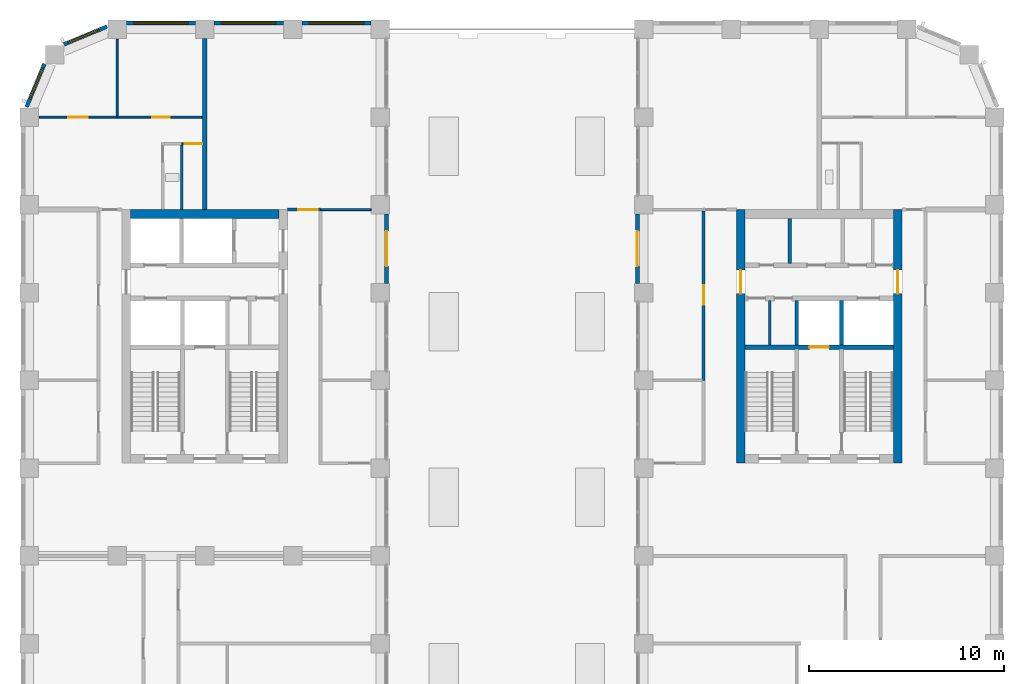
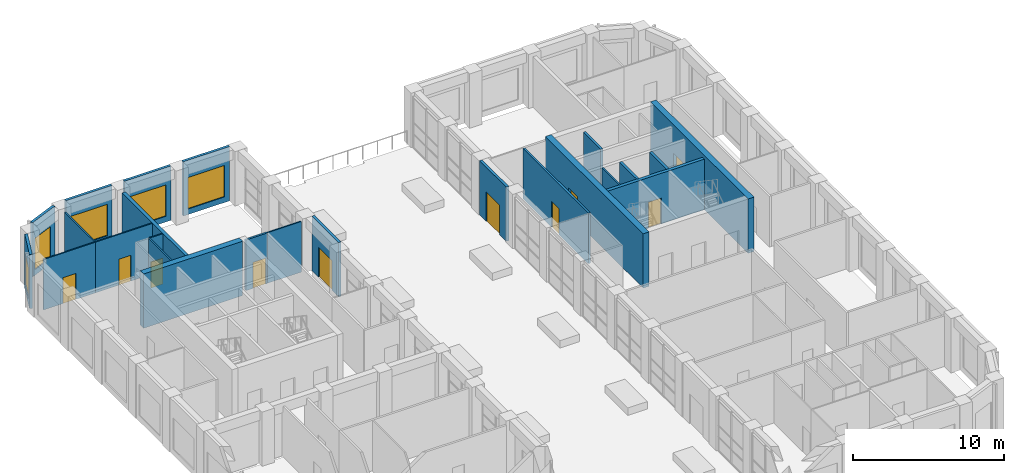
# One storey, part 14 of 20: 24 walls, 10 doors, 5 windows, 15 openings.
"""IFC4 building model written with IfcOpenShell, lengths in metres."""

from ifc_helpers import new_model, si_unit, direction, frame, frame_2d, origin, place, context, subcontext, project, spatial, rectangle, extrude, material, layer, layer_set, type_object, element, fill, save


model = new_model("IFC4")

# Units and contexts
model_context = context("Model", 3, precision=1e-05, world=origin(), true_north=direction((0.0, 1.0)))
body_context = subcontext(model_context, "Body", "Model", "MODEL_VIEW")
ifc_project = project(units=[si_unit("LENGTHUNIT", "METRE"), si_unit("AREAUNIT", "SQUARE_METRE"), si_unit("VOLUMEUNIT", "CUBIC_METRE"), si_unit("PLANEANGLEUNIT", "RADIAN"), si_unit("MASSUNIT", "GRAM", prefix="KILO")], contexts=[model_context])

# Site, building, storey
site_placement = place(None, origin())
site = spatial("IfcSite", under=ifc_project, at=site_placement, CompositionType="ELEMENT")
building_placement = place(site_placement, origin())
building = spatial("IfcBuilding", under=site, at=building_placement, Name="Girih Gate Residences", CompositionType="ELEMENT")
storey_placement = place(building_placement, frame((0.0, 0.0, 146.199951171875)))
storey = spatial("IfcBuildingStorey", under=building, at=storey_placement, Name="L41", CompositionType="ELEMENT", Elevation=146.199951171875)

# Wall
ifc_material_1 = material(Name="Gypsum board on steel studs", Category="steel")
ifc_layer_1 = layer(ifc_material_1, 0.25)
ifc_layer_set_1 = layer_set([ifc_layer_1], Name="Acoustic separating wall 250 mm")
wall_type_1 = type_object("IfcWallType", Name="Acoustic separating wall 250 mm", PredefinedType="PARTITIONING", material=ifc_layer_set_1)
wall_1_placement = place(storey_placement, frame((9.0, 40.25, 0.0), z_axis=(0.0, 0.0, 1.0), x_axis=(0.0, 1.0, 0.0)))
element("IfcWall", 1, at=wall_1_placement, inside=storey, type_object=wall_type_1, Name="L41 partition", PredefinedType="PARTITIONING", context=body_context, shape_type="SweptSolid", body=[
    extrude(rectangle(XDim=8.77490234375, YDim=0.25, at=frame_2d((4.387451171875, 0.0))), origin(), (0.0, 0.0, 1.0), 4.10009765625),
])

# Wall, opening, door
ifc_layer_2 = layer(ifc_material_1, 0.14990234375)
ifc_layer_set_2 = layer_set([ifc_layer_2], Name="Compartment wall 150 mm")
wall_type_2 = type_object("IfcWallType", Name="Compartment wall 150 mm", PredefinedType="PARTITIONING", material=ifc_layer_set_2)
wall_2_placement = place(storey_placement, frame((13.25, 40.25, 0.0), z_axis=(0.0, 0.0, 1.0), x_axis=(1.0, 0.0, 0.0)))
wall_2 = element("IfcWall", 2, at=wall_2_placement, inside=storey, type_object=wall_type_2, Name="L41 partition", PredefinedType="PARTITIONING", context=body_context, shape_type="SweptSolid", body=[
    extrude(rectangle(XDim=1.675048828125, YDim=0.14990234375, at=frame_2d((0.83740234375, 0.0))), origin(), (0.0, 0.0, 1.0), 4.10009765625),
])
opening_1_placement = place(wall_2_placement, frame((0.544921875, 0.0, 0.0)))
opening_1 = element("IfcOpeningElement", 3, at=opening_1_placement, cuts=wall_2, Name="Opening A41-034", PredefinedType="OPENING", context=body_context, shape_type="SweptSolid", body=[
    extrude(rectangle(XDim=1.0, YDim=2.10009765625, at=frame_2d((0.5, 1.050048828125))), frame((0.0, 0.0849609375, 0.0), z_axis=(0.0, -1.0, 0.0), x_axis=(1.0, 0.0, 0.0)), (0.0, 0.0, 1.0), 0.169921875),
])
ifc_material_2 = material(Name="Timber, fire-rated core", Category="wood")
door_type_1 = type_object("IfcDoorType", Name="Amenity room door 1000x2100 FD30S", OperationType="NOTDEFINED", PredefinedType="DOOR", material=ifc_material_2)
door_1_placement = place(opening_1_placement, origin())
door_1 = element("IfcDoor", 4, at=door_1_placement, inside=storey, type_object=door_type_1, Name="Door A41-034", OperationType="SINGLE_SWING_RIGHT", OverallHeight=2.10009765625, OverallWidth=1.0, PredefinedType="DOOR", context=body_context, shape_type="SweptSolid", body=[
    extrude(rectangle(XDim=1.0, YDim=2.10009765625, at=frame_2d((0.5, 1.050048828125))), frame((0.0, 0.02490234375, 0.0), z_axis=(0.0, -1.0, 0.0), x_axis=(1.0, 0.0, 0.0)), (0.0, 0.0, 1.0), 0.050048828125),
])
fill(opening_1, door_1)

wall_3_placement = place(storey_placement, frame((34.574951171875, 31.5, 0.0), z_axis=(0.0, 0.0, 1.0), x_axis=(0.0, 1.0, 0.0)))
wall_3 = element("IfcWall", 5, at=wall_3_placement, inside=storey, type_object=wall_type_2, Name="L41 partition", PredefinedType="PARTITIONING", context=body_context, shape_type="SweptSolid", body=[
    extrude(rectangle(XDim=8.675048828125, YDim=0.14990234375, at=frame_2d((4.33740234375, 0.0))), origin(), (0.0, 0.0, 1.0), 4.10009765625),
])
opening_2_placement = place(wall_3_placement, frame((3.875, 0.0, 0.0)))
opening_2 = element("IfcOpeningElement", 6, at=opening_2_placement, cuts=wall_3, Name="Opening A41-036", PredefinedType="OPENING", context=body_context, shape_type="SweptSolid", body=[
    extrude(rectangle(XDim=1.0, YDim=2.10009765625, at=frame_2d((0.5, 1.050048828125))), frame((0.0, 0.0849609375, 0.0), z_axis=(0.0, -1.0, 0.0), x_axis=(1.0, 0.0, 0.0)), (0.0, 0.0, 1.0), 0.169921875),
])
door_2_placement = place(opening_2_placement, origin())
door_2 = element("IfcDoor", 7, at=door_2_placement, inside=storey, type_object=door_type_1, Name="Door A41-036", OperationType="SINGLE_SWING_RIGHT", OverallHeight=2.10009765625, OverallWidth=1.0, PredefinedType="DOOR", context=body_context, shape_type="SweptSolid", body=[
    extrude(rectangle(XDim=1.0, YDim=2.10009765625, at=frame_2d((0.5, 1.050048828125))), frame((0.0, 0.02490234375, 0.0), z_axis=(0.0, -1.0, 0.0), x_axis=(1.0, 0.0, 0.0)), (0.0, 0.0, 1.0), 0.050048828125),
])
fill(opening_2, door_2)

# Wall
ifc_material_3 = material(Name="Concrete C60/75", Category="concrete")
ifc_layer_3 = layer(ifc_material_3, 0.449951171875)
ifc_layer_set_3 = layer_set([ifc_layer_3], Name="Core wall RC 450 Concrete C60/75")
wall_type_3 = type_object("IfcWallType", Name="Core wall RC 450 Concrete C60/75", PredefinedType="SOLIDWALL", material=ifc_layer_set_3)
wall_4_placement = place(storey_placement, frame((5.199951171875, 40.02490234375, 0.0), z_axis=(0.0, 0.0, 1.0), x_axis=(1.0, 0.0, 0.0)))
element("IfcWall", 8, at=wall_4_placement, inside=storey, type_object=wall_type_3, Name="Core wall W-N L41", PredefinedType="SOLIDWALL", context=body_context, shape_type="SweptSolid", body=[
    extrude(rectangle(XDim=7.60009765625, YDim=0.449951171875, at=frame_2d((3.800048828125, 0.0))), origin(), (0.0, 0.0, 1.0), 4.400146484375),
])

# Wall, opening, door
wall_5_placement = place(storey_placement, frame((36.47509765625, 27.25, 0.0), z_axis=(0.0, 0.0, 1.0), x_axis=(0.0, 1.0, 0.0)))
wall_5 = element("IfcWall", 9, at=wall_5_placement, inside=storey, type_object=wall_type_3, Name="Core wall E-W L41", PredefinedType="SOLIDWALL", context=body_context, shape_type="SweptSolid", body=[
    extrude(rectangle(XDim=13.0, YDim=0.449951171875, at=frame_2d((6.5, 0.0))), origin(), (0.0, 0.0, 1.0), 4.400146484375),
])
opening_3_placement = place(wall_5_placement, frame((8.699951171875, 0.0, 0.0)))
opening_3 = element("IfcOpeningElement", 10, at=opening_3_placement, cuts=wall_5, Name="Opening D-L41-E-014", PredefinedType="OPENING", context=body_context, shape_type="SweptSolid", body=[
    extrude(rectangle(XDim=1.199951171875, YDim=2.10009765625, at=frame_2d((0.60009765625, 1.050048828125))), frame((0.0, 0.23486328125, 0.0), z_axis=(0.0, -1.0, 0.0), x_axis=(1.0, 0.0, 0.0)), (0.0, 0.0, 1.0), 0.469970703125),
])
ifc_material_4 = material(Name="Painted steel, fire-resisting", Category="steel")
door_type_2 = type_object("IfcDoorType", Name="Fire door 1200x2100", OperationType="SINGLE_SWING_LEFT", PredefinedType="DOOR", material=ifc_material_4)
door_3_placement = place(opening_3_placement, origin())
door_3 = element("IfcDoor", 11, at=door_3_placement, inside=storey, type_object=door_type_2, Name="L41 E core door ll-w", OperationType="SINGLE_SWING_LEFT", OverallHeight=2.10009765625, OverallWidth=1.199951171875, PredefinedType="DOOR", context=body_context, shape_type="SweptSolid", body=[
    extrude(rectangle(XDim=1.199951171875, YDim=2.10009765625, at=frame_2d((0.60009765625, 1.050048828125))), frame((0.0, 0.02490234375, 0.0), z_axis=(0.0, -1.0, 0.0), x_axis=(1.0, 0.0, 0.0)), (0.0, 0.0, 1.0), 0.050048828125),
])
fill(opening_3, door_3)

wall_6_placement = place(storey_placement, frame((44.52490234375, 27.25, 0.0), z_axis=(0.0, 0.0, 1.0), x_axis=(0.0, 1.0, 0.0)))
wall_6 = element("IfcWall", 12, at=wall_6_placement, inside=storey, type_object=wall_type_3, Name="Core wall E-E L41", PredefinedType="SOLIDWALL", context=body_context, shape_type="SweptSolid", body=[
    extrude(rectangle(XDim=13.0, YDim=0.449951171875, at=frame_2d((6.5, 0.0))), origin(), (0.0, 0.0, 1.0), 4.400146484375),
])
opening_4_placement = place(wall_6_placement, frame((8.699951171875, 0.0, 0.0)))
opening_4 = element("IfcOpeningElement", 13, at=opening_4_placement, cuts=wall_6, Name="Opening D-L41-E-015", PredefinedType="OPENING", context=body_context, shape_type="SweptSolid", body=[
    extrude(rectangle(XDim=1.199951171875, YDim=2.10009765625, at=frame_2d((0.60009765625, 1.050048828125))), frame((0.0, 0.23486328125, 0.0), z_axis=(0.0, -1.0, 0.0), x_axis=(1.0, 0.0, 0.0)), (0.0, 0.0, 1.0), 0.469970703125),
])
door_4_placement = place(opening_4_placement, origin())
door_4 = element("IfcDoor", 14, at=door_4_placement, inside=storey, type_object=door_type_2, Name="L41 E core door ll-e", OperationType="SINGLE_SWING_LEFT", OverallHeight=2.10009765625, OverallWidth=1.199951171875, PredefinedType="DOOR", context=body_context, shape_type="SweptSolid", body=[
    extrude(rectangle(XDim=1.199951171875, YDim=2.10009765625, at=frame_2d((0.60009765625, 1.050048828125))), frame((0.0, 0.02490234375, 0.0), z_axis=(0.0, -1.0, 0.0), x_axis=(1.0, 0.0, 0.0)), (0.0, 0.0, 1.0), 0.050048828125),
])
fill(opening_4, door_4)

ifc_material_5 = material(Name="Concrete C40/50", Category="concrete")
ifc_layer_4 = layer(ifc_material_5, 0.25)
ifc_layer_set_4 = layer_set([ifc_layer_4], Name="Lift shaft wall 250")
wall_type_4 = type_object("IfcWallType", Name="Lift shaft wall 250", PredefinedType="SOLIDWALL", material=ifc_layer_set_4)
wall_7_placement = place(storey_placement, frame((36.699951171875, 33.199951171875, 0.0), z_axis=(0.0, 0.0, 1.0), x_axis=(1.0, 0.0, 0.0)))
wall_7 = element("IfcWall", 15, at=wall_7_placement, inside=storey, type_object=wall_type_4, Name="L41 E core wall H1", PredefinedType="SOLIDWALL", context=body_context, shape_type="SweptSolid", body=[
    extrude(rectangle(XDim=7.60009765625, YDim=0.25, at=frame_2d((3.800048828125, 0.0))), origin(), (0.0, 0.0, 1.0), 4.10009765625),
])
opening_5_placement = place(wall_7_placement, frame((3.300048828125, 0.0, 0.0)))
opening_5 = element("IfcOpeningElement", 16, at=opening_5_placement, cuts=wall_7, Name="Opening D-L41-E-004", PredefinedType="OPENING", context=body_context, shape_type="SweptSolid", body=[
    extrude(rectangle(XDim=1.0, YDim=2.10009765625, at=frame_2d((0.5, 1.050048828125))), frame((0.0, 0.135009765625, 0.0), z_axis=(0.0, -1.0, 0.0), x_axis=(1.0, 0.0, 0.0)), (0.0, 0.0, 1.0), 0.27001953125),
])
ifc_material_6 = material(Name="Stainless steel, fire-resisting", Category="steel")
door_type_3 = type_object("IfcDoorType", Name="Firefighting lift landing door 1000x2100", OperationType="SLIDING_TO_LEFT", PredefinedType="DOOR", material=ifc_material_6)
door_5_placement = place(opening_5_placement, origin())
door_5 = element("IfcDoor", 17, at=door_5_placement, inside=storey, type_object=door_type_3, Name="L41 lift FF-E landing door", OperationType="SLIDING_TO_LEFT", OverallHeight=2.10009765625, OverallWidth=1.0, PredefinedType="DOOR", context=body_context, shape_type="SweptSolid", body=[
    extrude(rectangle(XDim=1.0, YDim=2.10009765625, at=frame_2d((0.5, 1.050048828125))), frame((0.0, 0.02490234375, 0.0), z_axis=(0.0, -1.0, 0.0), x_axis=(1.0, 0.0, 0.0)), (0.0, 0.0, 1.0), 0.050048828125),
])
fill(opening_5, door_5)

ifc_layer_5 = layer(ifc_material_1, 0.10009765625)
ifc_layer_set_5 = layer_set([ifc_layer_5], Name="Partition 100 mm")
wall_type_5 = type_object("IfcWallType", Name="Partition 100 mm", PredefinedType="PARTITIONING", material=ifc_layer_set_5)
wall_8_placement = place(storey_placement, frame((4.5, 45.0, 0.0), z_axis=(0.0, 0.0, 1.0), x_axis=(1.0, 0.0, 0.0)))
wall_8 = element("IfcWall", 18, at=wall_8_placement, inside=storey, type_object=wall_type_5, Name="L41 partition", PredefinedType="PARTITIONING", context=body_context, shape_type="SweptSolid", body=[
    extrude(rectangle(XDim=4.375, YDim=0.10009765625, at=frame_2d((2.1875, 0.0))), origin(), (0.0, 0.0, 1.0), 4.10009765625),
])
opening_6_placement = place(wall_8_placement, frame((1.800048828125, 0.0, 0.0)))
opening_6 = element("IfcOpeningElement", 19, at=opening_6_placement, cuts=wall_8, Name="Opening A41-008", PredefinedType="OPENING", context=body_context, shape_type="SweptSolid", body=[
    extrude(rectangle(XDim=0.89990234375, YDim=2.10009765625, at=frame_2d((0.449951171875, 1.050048828125))), frame((0.0, 0.06005859375, 0.0), z_axis=(0.0, -1.0, 0.0), x_axis=(1.0, 0.0, 0.0)), (0.0, 0.0, 1.0), 0.1201171875),
])
ifc_material_7 = material(Name="Timber", Category="wood")
door_type_4 = type_object("IfcDoorType", Name="Bedroom door 900x2100", OperationType="NOTDEFINED", PredefinedType="DOOR", material=ifc_material_7)
door_6_placement = place(opening_6_placement, origin())
door_6 = element("IfcDoor", 20, at=door_6_placement, inside=storey, type_object=door_type_4, Name="Door A41-008", OperationType="SINGLE_SWING_RIGHT", OverallHeight=2.10009765625, OverallWidth=0.89990234375, PredefinedType="DOOR", context=body_context, shape_type="SweptSolid", body=[
    extrude(rectangle(XDim=0.89990234375, YDim=2.10009765625, at=frame_2d((0.449951171875, 1.050048828125))), frame((0.0, 0.02490234375, 0.0), z_axis=(0.0, -1.0, 0.0), x_axis=(1.0, 0.0, 0.0)), (0.0, 0.0, 1.0), 0.050048828125),
])
fill(opening_6, door_6)

# Wall
wall_9_placement = place(storey_placement, frame((4.5, 45.050048828125, 0.0), z_axis=(0.0, 0.0, 1.0), x_axis=(0.0, 1.0, 0.0)))
element("IfcWall", 21, at=wall_9_placement, inside=storey, type_object=wall_type_5, Name="L41 partition", PredefinedType="PARTITIONING", context=body_context, shape_type="SweptSolid", body=[
    extrude(rectangle(XDim=3.935791015625, YDim=0.10009765625, at=frame_2d((1.9677734375, 0.0))), origin(), (0.0, 0.0, 1.0), 4.10009765625),
])

# Wall, opening, door
wall_10_placement = place(storey_placement, frame((8.875, 43.6201171875, 0.0), z_axis=(0.0, 0.0, 1.0), x_axis=(-1.0, 0.0, 0.0)))
wall_10 = element("IfcWall", 22, at=wall_10_placement, inside=storey, type_object=wall_type_5, Name="L41 partition", PredefinedType="PARTITIONING", context=body_context, shape_type="SweptSolid", body=[
    extrude(rectangle(XDim=1.047607421875, YDim=0.10009765625, at=frame_2d((0.52392578125, 0.0))), origin(), (0.0, 0.0, 1.0), 4.10009765625),
])
opening_7_placement = place(wall_10_placement, frame((0.011474609375, 0.0, 0.0)))
opening_7 = element("IfcOpeningElement", 23, at=opening_7_placement, cuts=wall_10, Name="Opening A41-009", PredefinedType="OPENING", context=body_context, shape_type="SweptSolid", body=[
    extrude(rectangle(XDim=0.89990234375, YDim=2.10009765625, at=frame_2d((0.449951171875, 1.050048828125))), frame((0.0, 0.06005859375, 0.0), z_axis=(0.0, -1.0, 0.0), x_axis=(1.0, 0.0, 0.0)), (0.0, 0.0, 1.0), 0.1201171875),
])
door_type_5 = type_object("IfcDoorType", Name="Kitchen door 900x2100", OperationType="NOTDEFINED", PredefinedType="DOOR", material=ifc_material_7)
door_7_placement = place(opening_7_placement, origin())
door_7 = element("IfcDoor", 24, at=door_7_placement, inside=storey, type_object=door_type_5, Name="Door A41-009", OperationType="SINGLE_SWING_LEFT", OverallHeight=2.10009765625, OverallWidth=0.89990234375, PredefinedType="DOOR", context=body_context, shape_type="SweptSolid", body=[
    extrude(rectangle(XDim=0.89990234375, YDim=2.10009765625, at=frame_2d((0.449951171875, 1.050048828125))), frame((0.0, 0.02490234375, 0.0), z_axis=(0.0, -1.0, 0.0), x_axis=(1.0, 0.0, 0.0)), (0.0, 0.0, 1.0), 0.050048828125),
])
fill(opening_7, door_7)

wall_11_placement = place(storey_placement, frame((0.51416015625, 45.0, 0.0), z_axis=(0.0, 0.0, 1.0), x_axis=(1.0, 0.0, 0.0)))
wall_11 = element("IfcWall", 25, at=wall_11_placement, inside=storey, type_object=wall_type_5, Name="L41 partition", PredefinedType="PARTITIONING", context=body_context, shape_type="SweptSolid", body=[
    extrude(rectangle(XDim=3.98583984375, YDim=0.10009765625, at=frame_2d((1.992919921875, 0.0))), origin(), (0.0, 0.0, 1.0), 4.10009765625),
])
opening_8_placement = place(wall_11_placement, frame((1.473388671875, 0.0, 0.0)))
opening_8 = element("IfcOpeningElement", 26, at=opening_8_placement, cuts=wall_11, Name="Opening A41-010", PredefinedType="OPENING", context=body_context, shape_type="SweptSolid", body=[
    extrude(rectangle(XDim=1.0, YDim=2.10009765625, at=frame_2d((0.5, 1.050048828125))), frame((0.0, 0.06005859375, 0.0), z_axis=(0.0, -1.0, 0.0), x_axis=(1.0, 0.0, 0.0)), (0.0, 0.0, 1.0), 0.1201171875),
])
door_type_6 = type_object("IfcDoorType", Name="Living room door 1000x2100", OperationType="NOTDEFINED", PredefinedType="DOOR", material=ifc_material_7)
door_8_placement = place(opening_8_placement, origin())
door_8 = element("IfcDoor", 27, at=door_8_placement, inside=storey, type_object=door_type_6, Name="Door A41-010", OperationType="SINGLE_SWING_LEFT", OverallHeight=2.10009765625, OverallWidth=1.0, PredefinedType="DOOR", context=body_context, shape_type="SweptSolid", body=[
    extrude(rectangle(XDim=1.0, YDim=2.10009765625, at=frame_2d((0.5, 1.050048828125))), frame((0.0, 0.02490234375, 0.0), z_axis=(0.0, -1.0, 0.0), x_axis=(1.0, 0.0, 0.0)), (0.0, 0.0, 1.0), 0.050048828125),
])
fill(opening_8, door_8)

# Wall
wall_12_placement = place(storey_placement, frame((14.925048828125, 40.25, 0.0), z_axis=(0.0, 0.0, 1.0), x_axis=(1.0, 0.0, 0.0)))
element("IfcWall", 28, at=wall_12_placement, inside=storey, type_object=wall_type_5, Name="L41 partition", PredefinedType="PARTITIONING", context=body_context, shape_type="SweptSolid", body=[
    extrude(rectangle(XDim=2.599853515625, YDim=0.10009765625, at=frame_2d((1.2998046875, 0.0))), origin(), (0.0, 0.0, 1.0), 4.10009765625),
])

# Wall, opening, window
ifc_material_8 = material(Name="Precast concrete C50/60", Category="concrete")
ifc_layer_6 = layer(ifc_material_8, 0.06005859375, Name="Outer leaf")
ifc_material_9 = material(Name="Rigid PIR insulation")
ifc_layer_7 = layer(ifc_material_9, 0.090087890625, Name="Insulation")
ifc_material_10 = material(Name="Precast concrete C40/50", Category="concrete")
ifc_layer_8 = layer(ifc_material_10, 0.050048828125, Name="Inner leaf")
ifc_layer_set_6 = layer_set([ifc_layer_6, ifc_layer_7, ifc_layer_8], Name="Precast concrete C50/60 external wall 200")
wall_type_6 = type_object("IfcWallType", Name="Precast concrete C50/60 external wall 200", PredefinedType="SOLIDWALL", material=ifc_layer_set_6)
wall_13_placement = place(storey_placement, frame((13.97509765625, 49.824951171875, 0.0), z_axis=(0.0, 0.0, 1.0), x_axis=(1.0, 0.0, 0.0)))
wall_13 = element("IfcWall", 29, at=wall_13_placement, inside=storey, type_object=wall_type_6, Name="External wall N0180_0495.0", PredefinedType="SOLIDWALL", context=body_context, shape_type="SweptSolid", body=[
    extrude(rectangle(XDim=3.5498046875, YDim=0.199951171875, at=frame_2d((1.77490234375, 0.0))), origin(), (0.0, 0.0, 1.0), 4.400146484375),
])
opening_9_placement = place(wall_13_placement, frame((0.375, 0.0, 0.449951171875)))
opening_9 = element("IfcOpeningElement", 30, at=opening_9_placement, cuts=wall_13, Name="Opening W-6A", PredefinedType="OPENING", context=body_context, shape_type="SweptSolid", body=[
    extrude(rectangle(XDim=2.800048828125, YDim=2.550048828125, at=frame_2d((1.39990234375, 1.27490234375))), frame((0.0, 0.10986328125, 0.0), z_axis=(0.0, -1.0, 0.0), x_axis=(1.0, 0.0, 0.0)), (0.0, 0.0, 1.0), 0.219970703125),
])
ifc_material_11 = material(Name="Double glazing in aluminium frame", Category="aluminium")
window_type_1 = type_object("IfcWindowType", Name="Window W-6A 2800x2550", PartitioningType="SINGLE_PANEL", PredefinedType="WINDOW", material=ifc_material_11)
window_1_placement = place(opening_9_placement, origin())
window_1 = element("IfcWindow", 31, at=window_1_placement, inside=storey, type_object=window_type_1, Name="Window W-6A N0180_0495.0", OverallHeight=2.550048828125, OverallWidth=2.800048828125, PartitioningType="SINGLE_PANEL", PredefinedType="WINDOW", context=body_context, shape_type="SweptSolid", body=[
    extrude(rectangle(XDim=2.800048828125, YDim=2.550048828125, at=frame_2d((1.39990234375, 1.27490234375))), frame((0.0, 0.030029296875, 0.0), z_axis=(0.0, -1.0, 0.0), x_axis=(1.0, 0.0, 0.0)), (0.0, 0.0, 1.0), 0.06005859375),
])
fill(opening_9, window_1)

wall_14_placement = place(storey_placement, frame((9.47509765625, 49.824951171875, 0.0), z_axis=(0.0, 0.0, 1.0), x_axis=(1.0, 0.0, 0.0)))
wall_14 = element("IfcWall", 32, at=wall_14_placement, inside=storey, type_object=wall_type_6, Name="External wall N0180_0495.1", PredefinedType="SOLIDWALL", context=body_context, shape_type="SweptSolid", body=[
    extrude(rectangle(XDim=3.5498046875, YDim=0.199951171875, at=frame_2d((1.77490234375, 0.0))), origin(), (0.0, 0.0, 1.0), 4.400146484375),
])
opening_10_placement = place(wall_14_placement, frame((0.375, 0.0, 0.449951171875)))
opening_10 = element("IfcOpeningElement", 33, at=opening_10_placement, cuts=wall_14, Name="Opening W-6A", PredefinedType="OPENING", context=body_context, shape_type="SweptSolid", body=[
    extrude(rectangle(XDim=2.800048828125, YDim=2.550048828125, at=frame_2d((1.39990234375, 1.27490234375))), frame((0.0, 0.10986328125, 0.0), z_axis=(0.0, -1.0, 0.0), x_axis=(1.0, 0.0, 0.0)), (0.0, 0.0, 1.0), 0.219970703125),
])
window_2_placement = place(opening_10_placement, origin())
window_2 = element("IfcWindow", 34, at=window_2_placement, inside=storey, type_object=window_type_1, Name="Window W-6A N0180_0495.1", OverallHeight=2.550048828125, OverallWidth=2.800048828125, PartitioningType="SINGLE_PANEL", PredefinedType="WINDOW", context=body_context, shape_type="SweptSolid", body=[
    extrude(rectangle(XDim=2.800048828125, YDim=2.550048828125, at=frame_2d((1.39990234375, 1.27490234375))), frame((0.0, 0.030029296875, 0.0), z_axis=(0.0, -1.0, 0.0), x_axis=(1.0, 0.0, 0.0)), (0.0, 0.0, 1.0), 0.06005859375),
])
fill(opening_10, window_2)

wall_15_placement = place(storey_placement, frame((4.97509765625, 49.824951171875, 0.0), z_axis=(0.0, 0.0, 1.0), x_axis=(1.0, 0.0, 0.0)))
wall_15 = element("IfcWall", 35, at=wall_15_placement, inside=storey, type_object=wall_type_6, Name="External wall N0180_0495.2", PredefinedType="SOLIDWALL", context=body_context, shape_type="SweptSolid", body=[
    extrude(rectangle(XDim=3.5498046875, YDim=0.199951171875, at=frame_2d((1.77490234375, 0.0))), origin(), (0.0, 0.0, 1.0), 4.400146484375),
])
opening_11_placement = place(wall_15_placement, frame((0.375, 0.0, 0.449951171875)))
opening_11 = element("IfcOpeningElement", 36, at=opening_11_placement, cuts=wall_15, Name="Opening W-6A", PredefinedType="OPENING", context=body_context, shape_type="SweptSolid", body=[
    extrude(rectangle(XDim=2.800048828125, YDim=2.550048828125, at=frame_2d((1.39990234375, 1.27490234375))), frame((0.0, 0.10986328125, 0.0), z_axis=(0.0, -1.0, 0.0), x_axis=(1.0, 0.0, 0.0)), (0.0, 0.0, 1.0), 0.219970703125),
])
window_3_placement = place(opening_11_placement, origin())
window_3 = element("IfcWindow", 37, at=window_3_placement, inside=storey, type_object=window_type_1, Name="Window W-6A N0180_0495.2", OverallHeight=2.550048828125, OverallWidth=2.800048828125, PartitioningType="SINGLE_PANEL", PredefinedType="WINDOW", context=body_context, shape_type="SweptSolid", body=[
    extrude(rectangle(XDim=2.800048828125, YDim=2.550048828125, at=frame_2d((1.39990234375, 1.27490234375))), frame((0.0, 0.030029296875, 0.0), z_axis=(0.0, -1.0, 0.0), x_axis=(1.0, 0.0, 0.0)), (0.0, 0.0, 1.0), 0.06005859375),
])
fill(opening_11, window_3)

wall_16_placement = place(storey_placement, frame((1.76708984375, 48.7197265625, 0.0), z_axis=(0.0, 0.0, 1.0), x_axis=(0.923880599843, 0.382680855588, 0.0)))
wall_16 = element("IfcWall", 38, at=wall_16_placement, inside=storey, type_object=wall_type_6, Name="External wall NW0045_0495.0", PredefinedType="SOLIDWALL", context=body_context, shape_type="SweptSolid", body=[
    extrude(rectangle(XDim=2.402587890625, YDim=0.199951171875, at=frame_2d((1.201171875, 0.0))), origin(), (0.0, 0.0, 1.0), 4.400146484375),
])
opening_12_placement = place(wall_16_placement, frame((0.25146484375, 0.0, 0.449951171875)))
opening_12 = element("IfcOpeningElement", 39, at=opening_12_placement, cuts=wall_16, Name="Opening W-2F", PredefinedType="OPENING", context=body_context, shape_type="SweptSolid", body=[
    extrude(rectangle(XDim=1.699951171875, YDim=2.550048828125, at=frame_2d((0.85009765625, 1.27490234375))), frame((0.0, 0.10986328125, 0.0), z_axis=(0.0, -1.0, 0.0), x_axis=(1.0, 0.0, 0.0)), (0.0, 0.0, 1.0), 0.219970703125),
])
window_type_2 = type_object("IfcWindowType", Name="Window W-2F 1700x2550", PartitioningType="SINGLE_PANEL", PredefinedType="WINDOW", material=ifc_material_11)
window_4_placement = place(opening_12_placement, origin())
window_4 = element("IfcWindow", 40, at=window_4_placement, inside=storey, type_object=window_type_2, Name="Window W-2F NW0045_0495.0", OverallHeight=2.550048828125, OverallWidth=1.699951171875, PartitioningType="SINGLE_PANEL", PredefinedType="WINDOW", context=body_context, shape_type="SweptSolid", body=[
    extrude(rectangle(XDim=1.699951171875, YDim=2.550048828125, at=frame_2d((0.85009765625, 1.27490234375))), frame((0.0, 0.030029296875, 0.0), z_axis=(0.0, -1.0, 0.0), x_axis=(1.0, 0.0, 0.0)), (0.0, 0.0, 1.0), 0.06005859375),
])
fill(opening_12, window_4)

wall_17_placement = place(storey_placement, frame((-0.13916015625, 45.51318359375, 0.0), z_axis=(0.0, 0.0, 1.0), x_axis=(0.382680855588, 0.923880599843, 0.0)))
wall_17 = element("IfcWall", 41, at=wall_17_placement, inside=storey, type_object=wall_type_6, Name="External wall NW0013_0482.0", PredefinedType="SOLIDWALL", context=body_context, shape_type="SweptSolid", body=[
    extrude(rectangle(XDim=2.402587890625, YDim=0.199951171875, at=frame_2d((1.201171875, 0.0))), origin(), (0.0, 0.0, 1.0), 4.400146484375),
])
opening_13_placement = place(wall_17_placement, frame((0.451171875, 0.0, 0.449951171875)))
opening_13 = element("IfcOpeningElement", 42, at=opening_13_placement, cuts=wall_17, Name="Opening W-2F", PredefinedType="OPENING", context=body_context, shape_type="SweptSolid", body=[
    extrude(rectangle(XDim=1.699951171875, YDim=2.550048828125, at=frame_2d((0.85009765625, 1.27490234375))), frame((0.0, 0.10986328125, 0.0), z_axis=(0.0, -1.0, 0.0), x_axis=(1.0, 0.0, 0.0)), (0.0, 0.0, 1.0), 0.219970703125),
])
window_5_placement = place(opening_13_placement, origin())
window_5 = element("IfcWindow", 43, at=window_5_placement, inside=storey, type_object=window_type_2, Name="Window W-2F NW0013_0482.0", OverallHeight=2.550048828125, OverallWidth=1.699951171875, PartitioningType="SINGLE_PANEL", PredefinedType="WINDOW", context=body_context, shape_type="SweptSolid", body=[
    extrude(rectangle(XDim=1.699951171875, YDim=2.550048828125, at=frame_2d((0.85009765625, 1.27490234375))), frame((0.0, 0.030029296875, 0.0), z_axis=(0.0, -1.0, 0.0), x_axis=(1.0, 0.0, 0.0)), (0.0, 0.0, 1.0), 0.06005859375),
])
fill(opening_13, window_5)

# Wall, opening, door
wall_18_placement = place(storey_placement, frame((18.324951171875, 40.02490234375, 0.0), z_axis=(0.0, 0.0, 1.0), x_axis=(0.0, -1.0, 0.0)))
wall_18 = element("IfcWall", 44, at=wall_18_placement, inside=storey, type_object=wall_type_6, Name="External wall E0180_0000.8", PredefinedType="SOLIDWALL", context=body_context, shape_type="SweptSolid", body=[
    extrude(rectangle(XDim=3.5498046875, YDim=0.199951171875, at=frame_2d((1.77490234375, 0.0))), origin(), (0.0, 0.0, 1.0), 4.400146484375),
])
opening_14_placement = place(wall_18_placement, frame((0.875, 0.0, 0.0)))
opening_14 = element("IfcOpeningElement", 45, at=opening_14_placement, cuts=wall_18, Name="Opening TD-1", PredefinedType="OPENING", context=body_context, shape_type="SweptSolid", body=[
    extrude(rectangle(XDim=1.800048828125, YDim=2.39990234375, at=frame_2d((0.89990234375, 1.199951171875))), frame((0.0, 0.10986328125, 0.0), z_axis=(0.0, -1.0, 0.0), x_axis=(1.0, 0.0, 0.0)), (0.0, 0.0, 1.0), 0.219970703125),
])
ifc_material_12 = material(Name="Aluminium and glass terrace door", Category="aluminium")
door_type_7 = type_object("IfcDoorType", Name="Terrace door pair 1800x2400", OperationType="DOUBLE_DOOR_SINGLE_SWING", PredefinedType="DOOR", material=ifc_material_12)
door_9_placement = place(opening_14_placement, origin())
door_9 = element("IfcDoor", 46, at=door_9_placement, inside=storey, type_object=door_type_7, Name="Terrace door E0180_0000.8", OperationType="DOUBLE_DOOR_SINGLE_SWING", OverallHeight=2.39990234375, OverallWidth=1.800048828125, PredefinedType="DOOR", context=body_context, shape_type="SweptSolid", body=[
    extrude(rectangle(XDim=1.800048828125, YDim=2.39990234375, at=frame_2d((0.89990234375, 1.199951171875))), frame((0.0, 0.02490234375, 0.0), z_axis=(0.0, -1.0, 0.0), x_axis=(1.0, 0.0, 0.0)), (0.0, 0.0, 1.0), 0.050048828125),
])
fill(opening_14, door_9)

wall_19_placement = place(storey_placement, frame((31.175048828125, 36.47509765625, 0.0), z_axis=(0.0, 0.0, 1.0), x_axis=(0.0, 1.0, 0.0)))
wall_19 = element("IfcWall", 47, at=wall_19_placement, inside=storey, type_object=wall_type_6, Name="External wall W0315_0495.2", PredefinedType="SOLIDWALL", context=body_context, shape_type="SweptSolid", body=[
    extrude(rectangle(XDim=3.5498046875, YDim=0.199951171875, at=frame_2d((1.77490234375, 0.0))), origin(), (0.0, 0.0, 1.0), 4.400146484375),
])
opening_15_placement = place(wall_19_placement, frame((0.875, 0.0, 0.0)))
opening_15 = element("IfcOpeningElement", 48, at=opening_15_placement, cuts=wall_19, Name="Opening TD-1", PredefinedType="OPENING", context=body_context, shape_type="SweptSolid", body=[
    extrude(rectangle(XDim=1.800048828125, YDim=2.39990234375, at=frame_2d((0.89990234375, 1.199951171875))), frame((0.0, 0.10986328125, 0.0), z_axis=(0.0, -1.0, 0.0), x_axis=(1.0, 0.0, 0.0)), (0.0, 0.0, 1.0), 0.219970703125),
])
door_10_placement = place(opening_15_placement, origin())
door_10 = element("IfcDoor", 49, at=door_10_placement, inside=storey, type_object=door_type_7, Name="Terrace door W0315_0495.2", OperationType="DOUBLE_DOOR_SINGLE_SWING", OverallHeight=2.39990234375, OverallWidth=1.800048828125, PredefinedType="DOOR", context=body_context, shape_type="SweptSolid", body=[
    extrude(rectangle(XDim=1.800048828125, YDim=2.39990234375, at=frame_2d((0.89990234375, 1.199951171875))), frame((0.0, 0.02490234375, 0.0), z_axis=(0.0, -1.0, 0.0), x_axis=(1.0, 0.0, 0.0)), (0.0, 0.0, 1.0), 0.050048828125),
])
fill(opening_15, door_10)

# Walls
ifc_layer_9 = layer(ifc_material_5, 0.175048828125)
ifc_layer_set_7 = layer_set([ifc_layer_9], Name="Riser shaft wall 175")
wall_type_7 = type_object("IfcWallType", Name="Riser shaft wall 175", PredefinedType="SOLIDWALL", material=ifc_layer_set_7)
wall_20_placement = place(storey_placement, frame((39.0, 37.5, 0.0), z_axis=(0.0, 0.0, 1.0), x_axis=(0.0, 1.0, 0.0)))
element("IfcWall", 50, at=wall_20_placement, inside=storey, type_object=wall_type_7, Name="L41 E core wall V2c", PredefinedType="SOLIDWALL", context=body_context, shape_type="SweptSolid", body=[
    extrude(rectangle(XDim=2.300048828125, YDim=0.175048828125, at=frame_2d((1.14990234375, 0.0))), origin(), (0.0, 0.0, 1.0), 4.10009765625),
])
ifc_layer_10 = layer(ifc_material_5, 0.199951171875)
ifc_layer_set_8 = layer_set([ifc_layer_10], Name="Shaft wall 200")
wall_type_8 = type_object("IfcWallType", Name="Shaft wall 200", PredefinedType="SOLIDWALL", material=ifc_layer_set_8)
for number, where, z_axis, x_axis, name in (
    (51, (41.64990234375, 33.300048828125, 0.0), (0.0, 0.0, 1.0), (0.0, 1.0, 0.0), "L41 E core wall V1b"),
    (52, (39.35009765625, 33.300048828125, 0.0), (0.0, 0.0, 1.0), (0.0, 1.0, 0.0), "L41 E core wall V2b"),
):
    element("IfcWall", number, at=place(storey_placement, frame(where, z_axis=z_axis, x_axis=x_axis)), inside=storey, type_object=wall_type_8, Name=name, PredefinedType="SOLIDWALL", context=body_context, shape_type="SweptSolid", body=[
        extrude(rectangle(XDim=2.300048828125, YDim=0.199951171875, at=frame_2d((1.14990234375, 0.0))), origin(), (0.0, 0.0, 1.0), 4.10009765625),
    ])
ifc_material_13 = material(Name="Calcium silicate blockwork", Category="masonry")
ifc_layer_11 = layer(ifc_material_13, 0.125)
ifc_layer_set_9 = layer_set([ifc_layer_11], Name="Store partition 125")
wall_type_9 = type_object("IfcWallType", Name="Store partition 125", PredefinedType="PARTITIONING", material=ifc_layer_set_9)
wall_21_placement = place(storey_placement, frame((37.97509765625, 33.300048828125, 0.0), z_axis=(0.0, 0.0, 1.0), x_axis=(0.0, 1.0, 0.0)))
element("IfcWall", 53, at=wall_21_placement, inside=storey, type_object=wall_type_9, Name="L41 E core wall SHR2", PredefinedType="PARTITIONING", context=body_context, shape_type="SweptSolid", body=[
    extrude(rectangle(XDim=2.300048828125, YDim=0.125, at=frame_2d((1.14990234375, 0.0))), origin(), (0.0, 0.0, 1.0), 4.10009765625),
])
ifc_layer_12 = layer(ifc_material_1, 0.125)
ifc_layer_set_10 = layer_set([ifc_layer_12], Name="Wet room wall 125 mm")
wall_type_10 = type_object("IfcWallType", Name="Wet room wall 125 mm", PredefinedType="PARTITIONING", material=ifc_layer_set_10)
wall_22_placement = place(storey_placement, frame((7.826904296875, 40.25, 0.0), z_axis=(0.0, 0.0, 1.0), x_axis=(0.0, 1.0, 0.0)))
element("IfcWall", 54, at=wall_22_placement, inside=storey, type_object=wall_type_10, Name="L41 partition", PredefinedType="PARTITIONING", context=body_context, shape_type="SweptSolid", body=[
    extrude(rectangle(XDim=3.3076171875, YDim=0.125, at=frame_2d((1.65380859375, 0.0))), origin(), (0.0, 0.0, 1.0), 4.10009765625),
])

save(model, "model.ifc")
